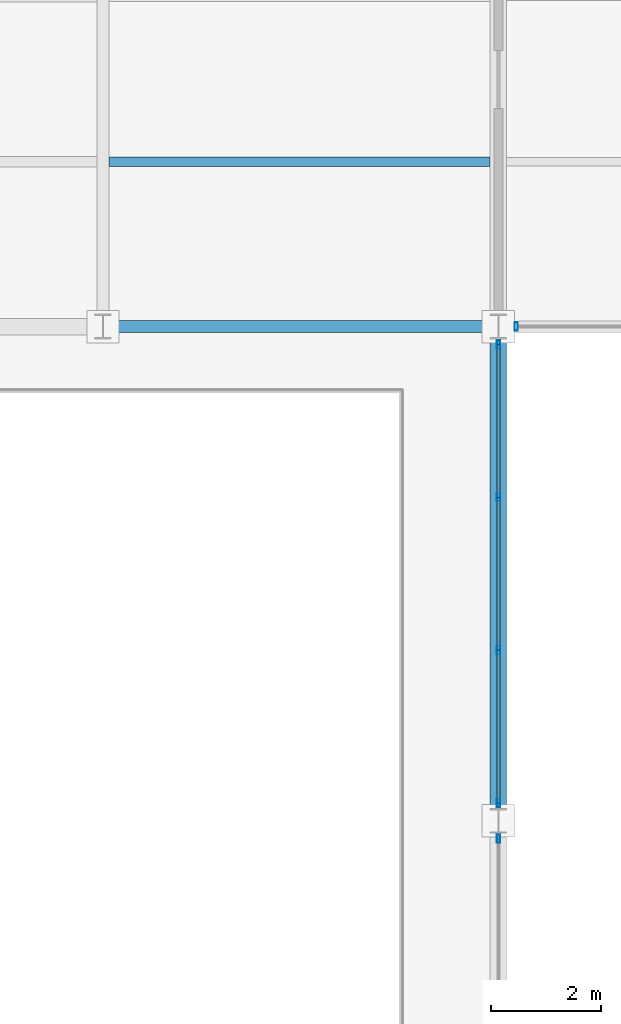
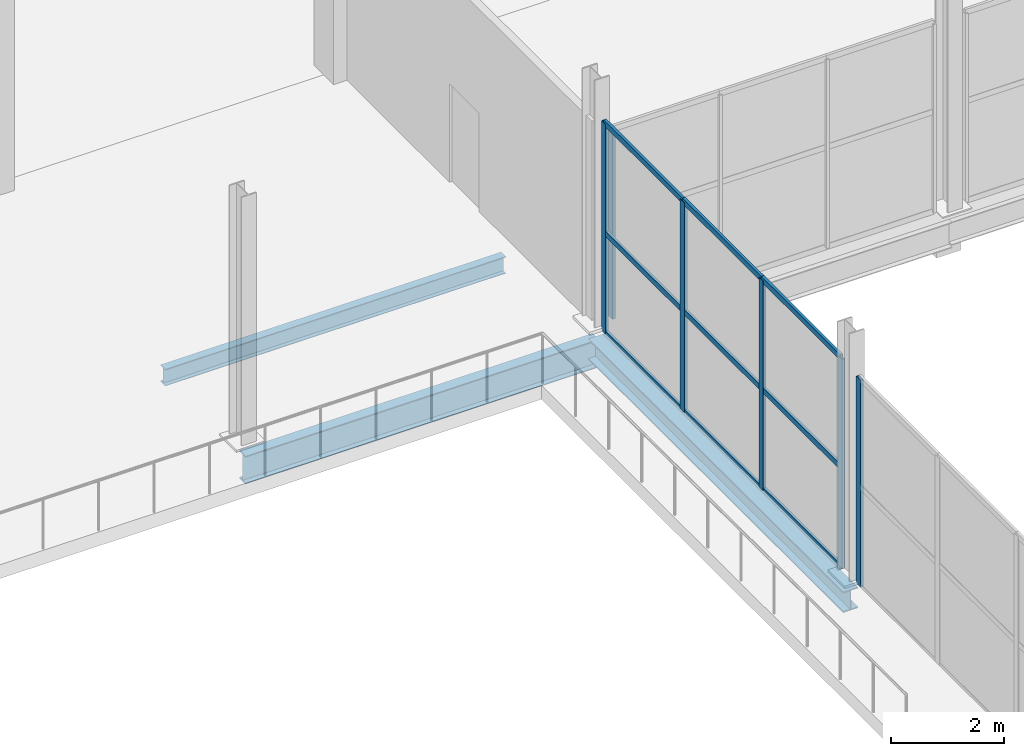
# One storey, part 47 of 147: 15 members, 3 beams, 3 elements without a shape of their own.
"""IFC4 building model written with IfcOpenShell, lengths in metres."""

import ifcopenshell
import ifcopenshell.guid

model = None  # the IFC model being written
_history = None  # IfcOwnerHistory: only IFC2X3 demands one
_inside = {}  # id of a spatial element -> (the spatial element, [elements in it])
_under = {}  # id of a project, library or spatial element -> (it, [spatial elements below it])
_declared = {}  # id of a project -> (the project, [libraries it declares])
_typed = {}  # id of a type object -> (the type object, [elements of that type])
_made_of = {}  # id of a material, layer set ... -> (it, [elements and type objects made of it])


def new_model(schema):
    """Start an empty IFC model of exactly this schema.

    Asked for "IFC4X3", IfcOpenShell would pick the latest addendum, in which some entities
    have other attributes; the version numbers below select the first issue.
    IFC2X3 requires an IfcOwnerHistory on every rooted entity: one is made here for all.
    """
    global model, _history
    if schema == "IFC4X3":
        model = ifcopenshell.file(schema_version=(4, 3, 0, 0))
    else:
        model = ifcopenshell.file(schema=schema)
    _inside.clear()
    _under.clear()
    _declared.clear()
    _typed.clear()
    _made_of.clear()
    _history = None
    if model.schema == "IFC2X3":
        org = make("IfcOrganization", Name="unknown")
        user = make(
            "IfcPersonAndOrganization",
            ThePerson=make("IfcPerson", FamilyName="unknown"),
            TheOrganization=org,
        )
        app = make(
            "IfcApplication",
            ApplicationDeveloper=org,
            Version="unknown",
            ApplicationFullName="unknown",
            ApplicationIdentifier="unknown",
        )
        _history = make(
            "IfcOwnerHistory",
            OwningUser=user,
            OwningApplication=app,
            ChangeAction="ADDED",
            CreationDate=0,
        )
    return model


def make(cls, **values):
    """One entity of the class cls with the attributes given. An attribute that is None is left unset."""
    return model.create_entity(
        cls, **{name: value for name, value in values.items() if value is not None}
    )


def rooted(cls, **values):
    """An entity with a GlobalId (a new one), such as an element, a storey or a relation."""
    return make(cls, GlobalId=ifcopenshell.guid.new(), OwnerHistory=_history, **values)


def si_unit(unit_type, name, prefix=None):
    """IfcSIUnit, for example si_unit("LENGTHUNIT", "METRE", prefix="MILLI")."""
    return make("IfcSIUnit", UnitType=unit_type, Prefix=prefix, Name=name)


def assignment(units):
    """IfcUnitAssignment: the units of a project."""
    return None if units is None else make("IfcUnitAssignment", Units=units)


def point(xyz):
    """IfcCartesianPoint."""
    return None if xyz is None else make("IfcCartesianPoint", Coordinates=xyz)


def direction(xyz):
    """IfcDirection."""
    return None if xyz is None else make("IfcDirection", DirectionRatios=xyz)


def frame(location, z_axis=None, x_axis=None):
    """IfcAxis2Placement3D, a coordinate frame: its origin and axes. An axis left out is left unset."""
    return make(
        "IfcAxis2Placement3D",
        Location=point(location),
        Axis=direction(z_axis),
        RefDirection=direction(x_axis),
    )


def frame_2d(location, x_axis=None):
    """IfcAxis2Placement2D, a coordinate frame in the plane: its origin and x axis."""
    return make(
        "IfcAxis2Placement2D", Location=point(location), RefDirection=direction(x_axis)
    )


def origin():
    """The frame at (0, 0, 0) with its axes left unset."""
    return frame((0.0, 0.0, 0.0))


def origin_2d():
    """The frame at (0, 0) in the plane with its x axis left unset."""
    return frame_2d((0.0, 0.0))


def place(relative_to, where):
    """IfcLocalPlacement: puts the frame where relative to a parent placement (None: the world)."""
    return make(
        "IfcLocalPlacement", PlacementRelTo=relative_to, RelativePlacement=where
    )


def context(
    kind, dimensions, precision=None, world=None, true_north=None, identifier=None
):
    """IfcGeometricRepresentationContext, for example the 3D "Model" context."""
    return make(
        "IfcGeometricRepresentationContext",
        ContextIdentifier=identifier,
        ContextType=kind,
        CoordinateSpaceDimension=dimensions,
        Precision=precision,
        WorldCoordinateSystem=world,
        TrueNorth=true_north,
    )


def subcontext(parent, identifier, kind, view, scale=None):
    """IfcGeometricRepresentationSubContext, for example "Body" below "Model"."""
    return make(
        "IfcGeometricRepresentationSubContext",
        ContextIdentifier=identifier,
        ContextType=kind,
        ParentContext=parent,
        TargetScale=scale,
        TargetView=view,
    )


def project(units=None, contexts=None):
    """IfcProject with its units and contexts."""
    return rooted(
        "IfcProject",
        Name="project",
        RepresentationContexts=contexts,
        UnitsInContext=assignment(units),
    )


def spatial(cls, under=None, at=None, **own):
    """A site, building, storey or space (cls), placed at a placement, below another one or the project."""
    s = rooted(cls, ObjectPlacement=at, **own)
    if under is not None:
        _under.setdefault(under.id(), (under, []))[1].append(s)
    return s


def profile(cls, at=None, kind="AREA", **sizes):
    """A parametric profile (cls). Its sizes go by their IFC names, for example OverallWidth=200.0."""
    return make(cls, ProfileType=kind, Position=at, **sizes)


def hollow_rectangle(**sizes):
    """IfcRectangleHollowProfileDef."""
    return profile("IfcRectangleHollowProfileDef", **sizes)


def i_section(**sizes):
    """IfcIShapeProfileDef."""
    return profile("IfcIShapeProfileDef", **sizes)


def extrude(swept, where, along, depth):
    """IfcExtrudedAreaSolid: the profile swept, set in the frame where, extruded along a direction by depth."""
    return make(
        "IfcExtrudedAreaSolid",
        SweptArea=swept,
        Position=where,
        ExtrudedDirection=direction(along),
        Depth=depth,
    )


def shape(context_of_items, identifier, shape_type, items):
    """IfcShapeRepresentation: the items that make up one representation, for example the "Body"."""
    return make(
        "IfcShapeRepresentation",
        ContextOfItems=context_of_items,
        RepresentationIdentifier=identifier,
        RepresentationType=shape_type,
        Items=items,
    )


def material(Name=None, Category=None):
    """IfcMaterial."""
    return make("IfcMaterial", Name=Name, Category=Category)


def layer(
    of_material, thickness, ventilated=None, Name=None, Category=None, Priority=None
):
    """IfcMaterialLayer: one layer of a wall or slab, of a material (None: an air gap)."""
    return make(
        "IfcMaterialLayer",
        Material=of_material,
        LayerThickness=thickness,
        IsVentilated=ventilated,
        Name=Name,
        Category=Category,
        Priority=Priority,
    )


def layer_set(layers, Name=None):
    """IfcMaterialLayerSet."""
    return make("IfcMaterialLayerSet", MaterialLayers=layers, LayerSetName=Name)


def material_profile(
    of_material, cross_section, Name=None, Category=None, Priority=None
):
    """IfcMaterialProfile: a cross section and its material."""
    return make(
        "IfcMaterialProfile",
        Name=Name,
        Material=of_material,
        Profile=cross_section,
        Priority=Priority,
        Category=Category,
    )


def profile_set(profiles, Name=None, composite=None):
    """IfcMaterialProfileSet."""
    return make(
        "IfcMaterialProfileSet",
        Name=Name,
        MaterialProfiles=profiles,
        CompositeProfile=composite,
    )


def made_of(thing, what):
    """Note that an element or type object is made of a material, layer set ...; save() writes the relation."""
    if what is not None:
        _made_of.setdefault(what.id(), (what, []))[1].append(thing)
    return thing


def type_object(cls, material=None, **own):
    """A type object (cls), such as IfcWallType, which elements share."""
    return made_of(rooted(cls, **own), material)


def element(
    cls,
    number,
    at=None,
    inside=None,
    cuts=None,
    type_object=None,
    material=None,
    context=None,
    identifier="Body",
    shape_type=None,
    held_by="IfcProductDefinitionShape",
    body=None,
    shapes=None,
    **own,
):
    """One element of the class cls, such as IfcWall. Its Tag is "e" and its number.

    at: its placement. inside: the storey or other place that contains it. cuts: it is an
    opening in that element (IfcRelVoidsElement). A single representation is given by context,
    identifier, shape_type and body (its items); several are given by shapes. held_by: the class
    of the entity that holds the representations. save() writes the other relations.
    """
    e = rooted(cls, Tag="e%d" % number, ObjectPlacement=at, **own)
    if body is not None:
        shapes = [shape(context, identifier, shape_type, body)]
    if shapes is not None:
        e.Representation = make(held_by, Representations=shapes)
    if inside is not None:
        _inside.setdefault(inside.id(), (inside, []))[1].append(e)
    if cuts is not None:
        rooted(
            "IfcRelVoidsElement", RelatingBuildingElement=cuts, RelatedOpeningElement=e
        )
    if type_object is not None:
        _typed.setdefault(type_object.id(), (type_object, []))[1].append(e)
    return made_of(e, material)


def aggregate(whole, parts):
    """IfcRelAggregates: a whole, such as a stair, and the parts it consists of."""
    return rooted("IfcRelAggregates", RelatingObject=whole, RelatedObjects=parts)


def save(model, path):
    """Write the relations noted so far, then the file.

    IfcRelAggregates (storeys below a building ...), IfcRelContainedInSpatialStructure (elements
    in a storey), IfcRelDefinesByType, IfcRelAssociatesMaterial and IfcRelDeclares: one each for
    every whole, place, type object, material and project.
    """
    for whole, parts in _under.values():
        aggregate(whole, parts)
    for where, things in _inside.values():
        rooted(
            "IfcRelContainedInSpatialStructure",
            RelatedElements=things,
            RelatingStructure=where,
        )
    for kind, things in _typed.values():
        rooted("IfcRelDefinesByType", RelatedObjects=things, RelatingType=kind)
    for what, things in _made_of.values():
        rooted("IfcRelAssociatesMaterial", RelatedObjects=things, RelatingMaterial=what)
    for by, libraries in _declared.values():
        rooted("IfcRelDeclares", RelatingContext=by, RelatedDefinitions=libraries)
    model.write(path)


model = new_model("IFC4")

# Units and contexts
model_context = context("Model", 3, precision=1e-05, world=origin(), true_north=direction((0.0, 1.0)))
body_context = subcontext(model_context, "Body", "Model", "MODEL_VIEW")
ifc_project = project(units=[si_unit("LENGTHUNIT", "METRE"), si_unit("AREAUNIT", "SQUARE_METRE"), si_unit("VOLUMEUNIT", "CUBIC_METRE"), si_unit("PLANEANGLEUNIT", "RADIAN"), si_unit("MASSUNIT", "GRAM", prefix="KILO")], contexts=[model_context])

# Site, building, storey
site_placement = place(None, origin())
site = spatial("IfcSite", under=ifc_project, at=site_placement, CompositionType="ELEMENT")
building_placement = place(site_placement, origin())
building = spatial("IfcBuilding", under=site, at=building_placement, Name="Sundgate Opera House", CompositionType="ELEMENT")
storey_placement = place(building_placement, frame((0.0, 0.0, 6.0)))
storey = spatial("IfcBuildingStorey", under=building, at=storey_placement, Name="L01", CompositionType="ELEMENT", Elevation=6.0)

# Beams
ifc_material_1 = material(Name="Steel S355J2", Category="steel")
ifc_material_profile_1 = material_profile(ifc_material_1, i_section(OverallWidth=0.300048828125, OverallDepth=0.449951171875, WebThickness=0.013916015625, FlangeThickness=0.02587890625, at=origin_2d()), Name="HEB 450")
ifc_profile_set_1 = profile_set([ifc_material_profile_1], Name="Steel S355J2")
beam_type_1 = type_object("IfcBeamType", Name="BM-GR-HEB450", PredefinedType="BEAM", material=ifc_profile_set_1)
beam_1_placement = place(storey_placement, frame((117.0, 51.0, -0.52490234375), z_axis=(0.0, 1.0, 0.0), x_axis=(-1.0, 0.0, 0.0)))
element("IfcBeam", 1, at=beam_1_placement, inside=storey, type_object=beam_type_1, Name="L01 Primary N-S Girder B1187", PredefinedType="BEAM", context=body_context, shape_type="SweptSolid", body=[
    extrude(i_section(OverallWidth=0.300048828125, OverallDepth=0.449951171875, WebThickness=0.013916015625, FlangeThickness=0.02587890625, at=origin_2d()), origin(), (0.0, 0.0, 1.0), 9.0),
])
ifc_material_2 = material(Name="Steel S355J2", Category="steel")
ifc_material_profile_2 = material_profile(ifc_material_2, i_section(OverallWidth=0.219970703125, OverallDepth=0.60009765625, WebThickness=0.011962890625, FlangeThickness=0.01904296875, at=origin_2d()), Name="IPE 600")
ifc_profile_set_2 = profile_set([ifc_material_profile_2], Name="Steel S355J2")
beam_type_2 = type_object("IfcBeamType", Name="BM-GR-IPE600", PredefinedType="BEAM", material=ifc_profile_set_2)
beam_2_placement = place(storey_placement, frame((109.800048828125, 60.0, -0.60009765625), z_axis=(1.0, 0.0, 0.0), x_axis=(0.0, 1.0, 0.0)))
element("IfcBeam", 2, at=beam_2_placement, inside=storey, type_object=beam_type_2, Name="L01 Primary E-W Girder B1350", PredefinedType="BEAM", context=body_context, shape_type="SweptSolid", body=[
    extrude(i_section(OverallWidth=0.219970703125, OverallDepth=0.60009765625, WebThickness=0.011962890625, FlangeThickness=0.01904296875, at=origin_2d()), origin(), (0.0, 0.0, 1.0), 7.199951171875),
])
ifc_material_3 = material(Name="Steel S355J2", Category="steel")
ifc_material_profile_3 = material_profile(ifc_material_3, i_section(OverallWidth=0.169921875, OverallDepth=0.360107421875, WebThickness=0.008056640625, FlangeThickness=0.0126953125, at=origin_2d()), Name="IPE 360")
ifc_profile_set_3 = profile_set([ifc_material_profile_3], Name="Steel S355J2")
beam_type_3 = type_object("IfcBeamType", Name="BM-JS-IPE360", PredefinedType="JOIST", material=ifc_profile_set_3)
beam_3_placement = place(storey_placement, frame((109.909912109375, 63.0, -0.47998046875), z_axis=(1.0, 0.0, 0.0), x_axis=(0.0, 1.0, 0.0)))
element("IfcBeam", 3, at=beam_3_placement, inside=storey, type_object=beam_type_3, Name="L01 Secondary Floor Joist B1598", PredefinedType="JOIST", context=body_context, shape_type="SweptSolid", body=[
    extrude(i_section(OverallWidth=0.169921875, OverallDepth=0.360107421875, WebThickness=0.008056640625, FlangeThickness=0.0126953125, at=origin_2d()), origin(), (0.0, 0.0, 1.0), 6.940185546875),
])

# Curtain wall, member
ifc_material_4 = material(Name="Anodized aluminium and low-iron glass", Category="aluminium")
ifc_layer = layer(ifc_material_4, 0.159912109375)
ifc_layer_set = layer_set([ifc_layer], Name="Anodized aluminium and low-iron glass")
curtain_wall_type = type_object("IfcCurtainWallType", Name="CW-STUDIO-DARK", PredefinedType="NOTDEFINED", material=ifc_layer_set)
curtain_wall_1_placement = place(storey_placement, origin())
curtain_wall_1 = element("IfcCurtainWall", 4, at=curtain_wall_1_placement, inside=storey, type_object=curtain_wall_type, Name="L01 Curtain Wall CW053", PredefinedType="NOTDEFINED")
ifc_material_5 = material(Name="Anodized aluminium EN AW-6063", Category="aluminium")
ifc_material_profile_4 = material_profile(ifc_material_5, hollow_rectangle(XDim=0.06005859375, YDim=0.14990234375, WallThickness=0.00390625, at=origin_2d()), Name="CWM 150x60x4")
ifc_profile_set_4 = profile_set([ifc_material_profile_4], Name="Anodized aluminium EN AW-6063")
member_type_1 = type_object("IfcMemberType", Name="CWM-ALU-150x60", PredefinedType="MULLION", material=ifc_profile_set_4)
member_1_placement = place(storey_placement, frame((117.324951171875, 60.0, 0.0), z_axis=(0.0, 0.0, 1.0), x_axis=(1.0, 0.0, 0.0)))
member_1 = element("IfcMember", 5, at=member_1_placement, type_object=member_type_1, Name="CW053 Mullion 4", PredefinedType="MULLION", context=body_context, shape_type="SweptSolid", body=[
    extrude(hollow_rectangle(XDim=0.06005859375, YDim=0.14990234375, WallThickness=0.00390625, at=origin_2d()), origin(), (0.0, 0.0, 1.0), 4.06494140625),
])
aggregate(curtain_wall_1, [member_1])

curtain_wall_2_placement = place(storey_placement, origin())
curtain_wall_2 = element("IfcCurtainWall", 6, at=curtain_wall_2_placement, inside=storey, type_object=curtain_wall_type, Name="L01 Curtain Wall CW058", PredefinedType="NOTDEFINED")
member_2_placement = place(storey_placement, frame((117.0, 50.675048828125, 0.0), z_axis=(0.0, 0.0, 1.0), x_axis=(1.0, 0.0, 0.0)))
member_2 = element("IfcMember", 7, at=member_2_placement, type_object=member_type_1, Name="CW058 Mullion 4", PredefinedType="MULLION", context=body_context, shape_type="SweptSolid", body=[
    extrude(hollow_rectangle(XDim=0.06005859375, YDim=0.14990234375, WallThickness=0.00390625, at=origin_2d()), origin(), (0.0, 0.0, 1.0), 4.465087890625),
])
aggregate(curtain_wall_2, [member_2])

# Curtain wall, members
curtain_wall_3_placement = place(storey_placement, origin())
curtain_wall_3 = element("IfcCurtainWall", 8, at=curtain_wall_3_placement, inside=storey, type_object=curtain_wall_type, Name="L01 Curtain Wall CW060", PredefinedType="NOTDEFINED")
member_3_placement = place(storey_placement, frame((117.0, 51.324951171875, 0.0), z_axis=(0.0, 0.0, 1.0), x_axis=(1.0, 0.0, 0.0)))
member_3 = element("IfcMember", 9, at=member_3_placement, type_object=member_type_1, Name="CW060 Mullion 1", PredefinedType="MULLION", context=body_context, shape_type="SweptSolid", body=[
    extrude(hollow_rectangle(XDim=0.06005859375, YDim=0.14990234375, WallThickness=0.00390625, at=origin_2d()), origin(), (0.0, 0.0, 1.0), 4.514892578125),
])
member_4_placement = place(storey_placement, frame((117.0, 54.1083984375, 0.0), z_axis=(0.0, 0.0, 1.0), x_axis=(1.0, 0.0, 0.0)))
member_4 = element("IfcMember", 10, at=member_4_placement, type_object=member_type_1, Name="CW060 Mullion 2", PredefinedType="MULLION", context=body_context, shape_type="SweptSolid", body=[
    extrude(hollow_rectangle(XDim=0.06005859375, YDim=0.14990234375, WallThickness=0.00390625, at=origin_2d()), origin(), (0.0, 0.0, 1.0), 4.514892578125),
])
member_5_placement = place(storey_placement, frame((117.0, 56.8916015625, 0.0), z_axis=(0.0, 0.0, 1.0), x_axis=(1.0, 0.0, 0.0)))
member_5 = element("IfcMember", 11, at=member_5_placement, type_object=member_type_1, Name="CW060 Mullion 3", PredefinedType="MULLION", context=body_context, shape_type="SweptSolid", body=[
    extrude(hollow_rectangle(XDim=0.06005859375, YDim=0.14990234375, WallThickness=0.00390625, at=origin_2d()), origin(), (0.0, 0.0, 1.0), 4.514892578125),
])
member_6_placement = place(storey_placement, frame((117.0, 59.675048828125, 0.0), z_axis=(0.0, 0.0, 1.0), x_axis=(1.0, 0.0, 0.0)))
member_6 = element("IfcMember", 12, at=member_6_placement, type_object=member_type_1, Name="CW060 Mullion 4", PredefinedType="MULLION", context=body_context, shape_type="SweptSolid", body=[
    extrude(hollow_rectangle(XDim=0.06005859375, YDim=0.14990234375, WallThickness=0.00390625, at=origin_2d()), origin(), (0.0, 0.0, 1.0), 4.514892578125),
])
ifc_material_6 = material(Name="Anodized aluminium EN AW-6063", Category="aluminium")
ifc_material_profile_5 = material_profile(ifc_material_6, hollow_rectangle(XDim=0.054931640625, YDim=0.1201171875, WallThickness=0.00390625, at=origin_2d()), Name="CWT 120x55x4")
ifc_profile_set_5 = profile_set([ifc_material_profile_5], Name="Anodized aluminium EN AW-6063")
member_type_2 = type_object("IfcMemberType", Name="CWT-ALU-120x55", PredefinedType="USERDEFINED", material=ifc_profile_set_5)
member_7_placement = place(storey_placement, frame((117.0, 51.324951171875, 0.0), z_axis=(0.0, 1.0, 0.0), x_axis=(-1.0, 0.0, 0.0)))
member_7 = element("IfcMember", 13, at=member_7_placement, type_object=member_type_2, Name="CW060 Transom 1", ObjectType="TRANSOM", PredefinedType="USERDEFINED", context=body_context, shape_type="SweptSolid", body=[
    extrude(hollow_rectangle(XDim=0.054931640625, YDim=0.1201171875, WallThickness=0.00390625, at=origin_2d()), origin(), (0.0, 0.0, 1.0), 2.783447265625),
])
member_8_placement = place(storey_placement, frame((117.0, 51.324951171875, 2.14990234375), z_axis=(0.0, 1.0, 0.0), x_axis=(-1.0, 0.0, 0.0)))
member_8 = element("IfcMember", 14, at=member_8_placement, type_object=member_type_2, Name="CW060 Transom 2", ObjectType="TRANSOM", PredefinedType="USERDEFINED", context=body_context, shape_type="SweptSolid", body=[
    extrude(hollow_rectangle(XDim=0.054931640625, YDim=0.1201171875, WallThickness=0.00390625, at=origin_2d()), origin(), (0.0, 0.0, 1.0), 2.783447265625),
])
member_9_placement = place(storey_placement, frame((117.0, 51.324951171875, 4.514892578125), z_axis=(0.0, 1.0, 0.0), x_axis=(-1.0, 0.0, 0.0)))
member_9 = element("IfcMember", 15, at=member_9_placement, type_object=member_type_2, Name="CW060 Transom 3", ObjectType="TRANSOM", PredefinedType="USERDEFINED", context=body_context, shape_type="SweptSolid", body=[
    extrude(hollow_rectangle(XDim=0.054931640625, YDim=0.1201171875, WallThickness=0.00390625, at=origin_2d()), origin(), (0.0, 0.0, 1.0), 2.783447265625),
])
member_10_placement = place(storey_placement, frame((117.0, 54.1083984375, 0.0), z_axis=(0.0, 1.0, 0.0), x_axis=(-1.0, 0.0, 0.0)))
member_10 = element("IfcMember", 16, at=member_10_placement, type_object=member_type_2, Name="CW060 Transom 4", ObjectType="TRANSOM", PredefinedType="USERDEFINED", context=body_context, shape_type="SweptSolid", body=[
    extrude(hollow_rectangle(XDim=0.054931640625, YDim=0.1201171875, WallThickness=0.00390625, at=origin_2d()), origin(), (0.0, 0.0, 1.0), 2.783203125),
])
member_11_placement = place(storey_placement, frame((117.0, 54.1083984375, 2.14990234375), z_axis=(0.0, 1.0, 0.0), x_axis=(-1.0, 0.0, 0.0)))
member_11 = element("IfcMember", 17, at=member_11_placement, type_object=member_type_2, Name="CW060 Transom 5", ObjectType="TRANSOM", PredefinedType="USERDEFINED", context=body_context, shape_type="SweptSolid", body=[
    extrude(hollow_rectangle(XDim=0.054931640625, YDim=0.1201171875, WallThickness=0.00390625, at=origin_2d()), origin(), (0.0, 0.0, 1.0), 2.783203125),
])
member_12_placement = place(storey_placement, frame((117.0, 54.1083984375, 4.514892578125), z_axis=(0.0, 1.0, 0.0), x_axis=(-1.0, 0.0, 0.0)))
member_12 = element("IfcMember", 18, at=member_12_placement, type_object=member_type_2, Name="CW060 Transom 6", ObjectType="TRANSOM", PredefinedType="USERDEFINED", context=body_context, shape_type="SweptSolid", body=[
    extrude(hollow_rectangle(XDim=0.054931640625, YDim=0.1201171875, WallThickness=0.00390625, at=origin_2d()), origin(), (0.0, 0.0, 1.0), 2.783203125),
])
member_13_placement = place(storey_placement, frame((117.0, 56.8916015625, 0.0), z_axis=(0.0, 1.0, 0.0), x_axis=(-1.0, 0.0, 0.0)))
member_13 = element("IfcMember", 19, at=member_13_placement, type_object=member_type_2, Name="CW060 Transom 7", ObjectType="TRANSOM", PredefinedType="USERDEFINED", context=body_context, shape_type="SweptSolid", body=[
    extrude(hollow_rectangle(XDim=0.054931640625, YDim=0.1201171875, WallThickness=0.00390625, at=origin_2d()), origin(), (0.0, 0.0, 1.0), 2.783447265625),
])
member_14_placement = place(storey_placement, frame((117.0, 56.8916015625, 2.14990234375), z_axis=(0.0, 1.0, 0.0), x_axis=(-1.0, 0.0, 0.0)))
member_14 = element("IfcMember", 20, at=member_14_placement, type_object=member_type_2, Name="CW060 Transom 8", ObjectType="TRANSOM", PredefinedType="USERDEFINED", context=body_context, shape_type="SweptSolid", body=[
    extrude(hollow_rectangle(XDim=0.054931640625, YDim=0.1201171875, WallThickness=0.00390625, at=origin_2d()), origin(), (0.0, 0.0, 1.0), 2.783447265625),
])
member_15_placement = place(storey_placement, frame((117.0, 56.8916015625, 4.514892578125), z_axis=(0.0, 1.0, 0.0), x_axis=(-1.0, 0.0, 0.0)))
member_15 = element("IfcMember", 21, at=member_15_placement, type_object=member_type_2, Name="CW060 Transom 9", ObjectType="TRANSOM", PredefinedType="USERDEFINED", context=body_context, shape_type="SweptSolid", body=[
    extrude(hollow_rectangle(XDim=0.054931640625, YDim=0.1201171875, WallThickness=0.00390625, at=origin_2d()), origin(), (0.0, 0.0, 1.0), 2.783447265625),
])
aggregate(curtain_wall_3, [member_3, member_4, member_5, member_6, member_7, member_8, member_9, member_10, member_11, member_12, member_13, member_14, member_15])

save(model, "model.ifc")
